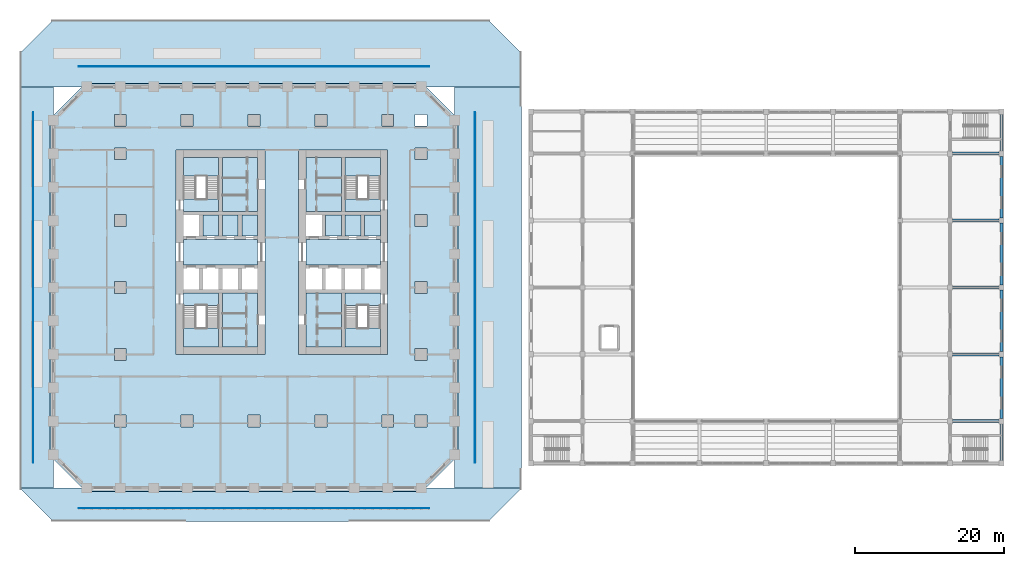
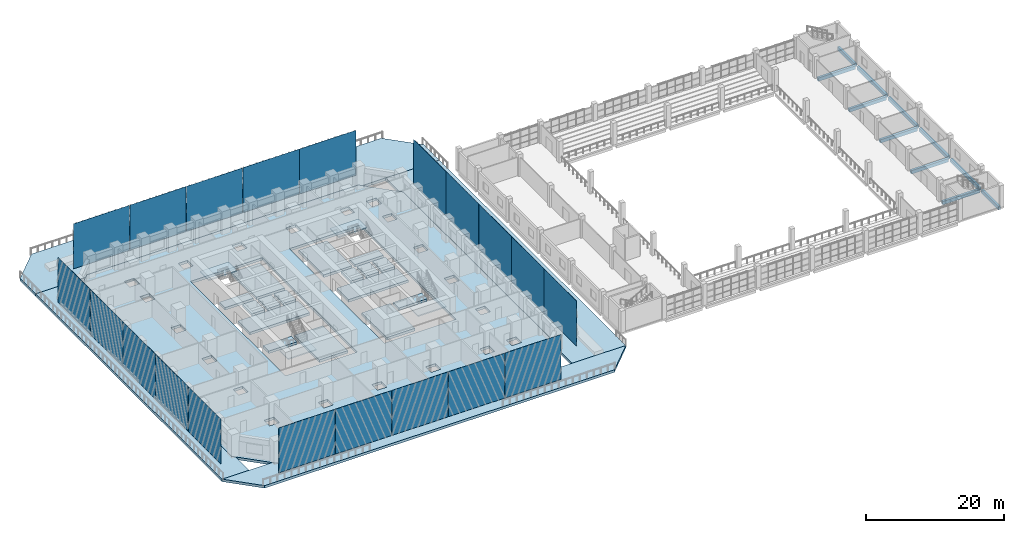
# One storey, part 12 of 36: 25 slabs, 20 plates, 11 beams, 4 elements without a shape of their own.
"""IFC4 building model written with IfcOpenShell, lengths in metres."""

from ifc_helpers import new_model, si_unit, direction, frame, origin, origin_2d, place, context, subcontext, project, spatial, polyline, rectangle, outline, extrude, material, layer, layer_set, material_profile, profile_set, type_object, element, aggregate, save


model = new_model("IFC4")

# Units and contexts
model_context = context("Model", 3, precision=1e-05, world=origin(), true_north=direction((0.0, 1.0)))
body_context = subcontext(model_context, "Body", "Model", "MODEL_VIEW")
ifc_project = project(units=[si_unit("LENGTHUNIT", "METRE"), si_unit("AREAUNIT", "SQUARE_METRE"), si_unit("VOLUMEUNIT", "CUBIC_METRE"), si_unit("PLANEANGLEUNIT", "RADIAN"), si_unit("MASSUNIT", "GRAM", prefix="KILO")], contexts=[model_context])

# Site, building, storey
site_placement = place(None, origin())
site = spatial("IfcSite", under=ifc_project, at=site_placement, CompositionType="ELEMENT")
building_placement = place(site_placement, origin())
building = spatial("IfcBuilding", under=site, at=building_placement, Name="Corbel Stack Research Tower", CompositionType="ELEMENT")
storey_placement = place(building_placement, frame((0.0, 0.0, 7.199951171875)))
storey = spatial("IfcBuildingStorey", under=building, at=storey_placement, Name="L01", CompositionType="ELEMENT", Elevation=7.199951171875)

# Beams
ifc_material_1 = material(Name="Concrete C40/50", Category="concrete")
ifc_material_profile = material_profile(ifc_material_1, rectangle(XDim=0.39990234375, YDim=0.60009765625, at=origin_2d()), Name="RC 400 x 600")
ifc_profile_set = profile_set([ifc_material_profile], Name="Concrete C40/50")
beam_type = type_object("IfcBeamType", Name="HB1 RC beam 400 x 600", PredefinedType="BEAM", material=ifc_profile_set)
for number, where, z_axis, x_axis, name in (
    (1, (94.050048828125, -18.0, -0.550048828125), (1.0, 0.0, 0.0), (0.0, 1.0, 0.0), "Floor beam L01 H8HB-H9HB"),
    (2, (94.050048828125, -9.0, -0.550048828125), (1.0, 0.0, 0.0), (0.0, 1.0, 0.0), "Floor beam L01 H8HC-H9HC"),
    (3, (94.050048828125, 0.0, -0.550048828125), (1.0, 0.0, 0.0), (0.0, 1.0, 0.0), "Floor beam L01 H8HD-H9HD"),
    (4, (94.050048828125, 9.0, -0.550048828125), (1.0, 0.0, 0.0), (0.0, 1.0, 0.0), "Floor beam L01 H8HE-H9HE"),
    (5, (94.050048828125, 18.0, -0.550048828125), (1.0, 0.0, 0.0), (0.0, 1.0, 0.0), "Floor beam L01 H8HF-H9HF"),
):
    element("IfcBeam", number, at=place(storey_placement, frame(where, z_axis=z_axis, x_axis=x_axis)), inside=storey, type_object=beam_type, Name=name, PredefinedType="BEAM", context=body_context, shape_type="SweptSolid", body=[
        extrude(rectangle(XDim=0.39990234375, YDim=0.60009765625, at=origin_2d()), origin(), (0.0, 0.0, 1.0), 6.199951171875),
    ])
beam_1_placement = place(storey_placement, frame((100.60009765625, -23.300048828125, -0.550048828125), z_axis=(0.0, 1.0, 0.0), x_axis=(-1.0, 0.0, 0.0)))
element("IfcBeam", 6, at=beam_1_placement, inside=storey, type_object=beam_type, Name="Floor beam L01 H9HA-H9HB", PredefinedType="BEAM", context=body_context, shape_type="SweptSolid", body=[
    extrude(rectangle(XDim=0.39990234375, YDim=0.60009765625, at=origin_2d()), origin(), (0.0, 0.0, 1.0), 4.949951171875),
])
for number, where, z_axis, x_axis, name in (
    (7, (100.60009765625, -17.64990234375, -0.550048828125), (0.0, 1.0, 0.0), (-1.0, 0.0, 0.0), "Floor beam L01 H9HB-H9HC"),
    (8, (100.60009765625, -8.64990234375, -0.550048828125), (0.0, 1.0, 0.0), (-1.0, 0.0, 0.0), "Floor beam L01 H9HC-H9HD"),
    (9, (100.60009765625, 0.35009765625, -0.550048828125), (0.0, 1.0, 0.0), (-1.0, 0.0, 0.0), "Floor beam L01 H9HD-H9HE"),
    (10, (100.60009765625, 9.35009765625, -0.550048828125), (0.0, 1.0, 0.0), (-1.0, 0.0, 0.0), "Floor beam L01 H9HE-H9HF"),
):
    element("IfcBeam", number, at=place(storey_placement, frame(where, z_axis=z_axis, x_axis=x_axis)), inside=storey, type_object=beam_type, Name=name, PredefinedType="BEAM", context=body_context, shape_type="SweptSolid", body=[
        extrude(rectangle(XDim=0.39990234375, YDim=0.60009765625, at=origin_2d()), origin(), (0.0, 0.0, 1.0), 8.2998046875),
    ])
beam_2_placement = place(storey_placement, frame((100.60009765625, 18.35009765625, -0.550048828125), z_axis=(0.0, 1.0, 0.0), x_axis=(-1.0, 0.0, 0.0)))
element("IfcBeam", 11, at=beam_2_placement, inside=storey, type_object=beam_type, Name="Floor beam L01 H9HF-H9HG", PredefinedType="BEAM", context=body_context, shape_type="SweptSolid", body=[
    extrude(rectangle(XDim=0.39990234375, YDim=0.60009765625, at=origin_2d()), origin(), (0.0, 0.0, 1.0), 4.949951171875),
])

# Plates
ifc_material_2 = material(Name="Fritted glass", Category="glass")
ifc_layer_1 = layer(ifc_material_2, 0.02490234375)
ifc_layer_set_1 = layer_set([ifc_layer_1], Name="Fritted glass")
plate_type = type_object("IfcPlateType", Name="Fritted glass panel 25", PredefinedType="SHEET", material=ifc_layer_set_1)
for number, where, z_axis, x_axis, name in (
    (12, (-18.911376953125, -29.737548828125, 0.0), (0.0, 0.0, 1.0), (1.0, 0.0, 0.0), "Fritted glass L01 S1"),
    (13, (-9.45556640625, -29.737548828125, 0.0), (0.0, 0.0, 1.0), (1.0, 0.0, 0.0), "Fritted glass L01 S2"),
    (14, (0.0, -29.737548828125, 0.0), (0.0, 0.0, 1.0), (1.0, 0.0, 0.0), "Fritted glass L01 S3"),
    (15, (9.45556640625, -29.737548828125, 0.0), (0.0, 0.0, 1.0), (1.0, 0.0, 0.0), "Fritted glass L01 S4"),
    (16, (18.911376953125, -29.737548828125, 0.0), (0.0, 0.0, 1.0), (1.0, 0.0, 0.0), "Fritted glass L01 S5"),
    (17, (29.737548828125, -18.911376953125, 0.0), (0.0, 0.0, 1.0), (0.0, 1.0, 0.0), "Fritted glass L01 E1"),
    (18, (29.737548828125, -9.45556640625, 0.0), (0.0, 0.0, 1.0), (0.0, 1.0, 0.0), "Fritted glass L01 E2"),
    (19, (29.737548828125, 0.0, 0.0), (0.0, 0.0, 1.0), (0.0, 1.0, 0.0), "Fritted glass L01 E3"),
    (20, (29.737548828125, 9.45556640625, 0.0), (0.0, 0.0, 1.0), (0.0, 1.0, 0.0), "Fritted glass L01 E4"),
    (21, (29.737548828125, 18.911376953125, 0.0), (0.0, 0.0, 1.0), (0.0, 1.0, 0.0), "Fritted glass L01 E5"),
    (22, (18.911376953125, 29.737548828125, 0.0), (0.0, 0.0, 1.0), (-1.0, 0.0, 0.0), "Fritted glass L01 N1"),
    (23, (9.45556640625, 29.737548828125, 0.0), (0.0, 0.0, 1.0), (-1.0, 0.0, 0.0), "Fritted glass L01 N2"),
    (24, (0.0, 29.737548828125, 0.0), (0.0, 0.0, 1.0), (-1.0, 0.0, 0.0), "Fritted glass L01 N3"),
    (25, (-9.45556640625, 29.737548828125, 0.0), (0.0, 0.0, 1.0), (-1.0, 0.0, 0.0), "Fritted glass L01 N4"),
    (26, (-18.911376953125, 29.737548828125, 0.0), (0.0, 0.0, 1.0), (-1.0, 0.0, 0.0), "Fritted glass L01 N5"),
    (27, (-29.737548828125, 18.911376953125, 0.0), (0.0, 0.0, 1.0), (0.0, -1.0, 0.0), "Fritted glass L01 W1"),
    (28, (-29.737548828125, 9.45556640625, 0.0), (0.0, 0.0, 1.0), (0.0, -1.0, 0.0), "Fritted glass L01 W2"),
    (29, (-29.737548828125, 0.0, 0.0), (0.0, 0.0, 1.0), (0.0, -1.0, 0.0), "Fritted glass L01 W3"),
    (30, (-29.737548828125, -9.45556640625, 0.0), (0.0, 0.0, 1.0), (0.0, -1.0, 0.0), "Fritted glass L01 W4"),
    (31, (-29.737548828125, -18.911376953125, 0.0), (0.0, 0.0, 1.0), (0.0, -1.0, 0.0), "Fritted glass L01 W5"),
):
    element("IfcPlate", number, at=place(storey_placement, frame(where, z_axis=z_axis, x_axis=x_axis)), inside=storey, type_object=plate_type, Name=name, PredefinedType="SHEET", context=body_context, shape_type="SweptSolid", body=[
        extrude(rectangle(XDim=9.3955078125, YDim=0.02490234375, at=origin_2d()), origin(), (0.0, 0.0, 1.0), 7.949951171875),
    ])

# Slabs
ifc_material_3 = material(Name="Concrete C45/55", Category="concrete")
ifc_layer_2 = layer(ifc_material_3, 0.449951171875)
ifc_layer_set_2 = layer_set([ifc_layer_2], Name="Concrete C45/55")
slab_type_1 = type_object("IfcSlabType", Name="PT-450", PredefinedType="FLOOR", material=ifc_layer_set_2)
slab_1_placement = place(storey_placement, frame((0.0, 0.0, -0.449951171875)))
element("IfcSlab", 32, at=slab_1_placement, inside=storey, type_object=slab_type_1, Name="Floor slab L01", PredefinedType="FLOOR", context=body_context, shape_type="SweptSolid", body=[
    extrude(outline(polyline([(-22.686279296875, -27.449951171875), (22.686279296875, -27.449951171875), (27.449951171875, -22.686279296875), (27.449951171875, 22.686279296875), (22.686279296875, 27.449951171875), (-22.686279296875, 27.449951171875), (-27.449951171875, 22.686279296875), (-27.449951171875, -22.686279296875), (-22.686279296875, -27.449951171875)]), holes=[polyline([(21.699951171875, 21.699951171875), (21.699951171875, 23.300048828125), (23.300048828125, 23.300048828125), (23.300048828125, 21.699951171875), (21.699951171875, 21.699951171875)]), polyline([(21.699951171875, 17.199951171875), (21.699951171875, 18.800048828125), (23.300048828125, 18.800048828125), (23.300048828125, 17.199951171875), (21.699951171875, 17.199951171875)]), polyline([(21.699951171875, 8.199951171875), (21.699951171875, 9.800048828125), (23.300048828125, 9.800048828125), (23.300048828125, 8.199951171875), (21.699951171875, 8.199951171875)]), polyline([(21.699951171875, -0.800048828125), (21.699951171875, 0.800048828125), (23.300048828125, 0.800048828125), (23.300048828125, -0.800048828125), (21.699951171875, -0.800048828125)]), polyline([(21.699951171875, -9.800048828125), (21.699951171875, -8.199951171875), (23.300048828125, -8.199951171875), (23.300048828125, -9.800048828125), (21.699951171875, -9.800048828125)]), polyline([(23.300048828125, -18.800048828125), (21.699951171875, -18.800048828125), (21.699951171875, -17.199951171875), (23.300048828125, -17.199951171875), (23.300048828125, -18.800048828125)]), polyline([(17.199951171875, 21.699951171875), (17.199951171875, 23.300048828125), (18.800048828125, 23.300048828125), (18.800048828125, 21.699951171875), (17.199951171875, 21.699951171875)]), polyline([(18.800048828125, -18.800048828125), (17.199951171875, -18.800048828125), (17.199951171875, -17.199951171875), (18.800048828125, -17.199951171875), (18.800048828125, -18.800048828125)]), polyline([(18.0, -9.0), (6.0, -9.0), (6.0, 18.5), (18.0, 18.5), (18.0, -9.0)]), polyline([(9.800048828125, 21.699951171875), (8.199951171875, 21.699951171875), (8.199951171875, 23.300048828125), (9.800048828125, 23.300048828125), (9.800048828125, 21.699951171875)]), polyline([(9.800048828125, -18.800048828125), (8.199951171875, -18.800048828125), (8.199951171875, -17.199951171875), (9.800048828125, -17.199951171875), (9.800048828125, -18.800048828125)]), polyline([(1.5, -9.0), (-10.5, -9.0), (-10.5, 18.5), (1.5, 18.5), (1.5, -9.0)]), polyline([(-0.800048828125, 21.699951171875), (-0.800048828125, 23.300048828125), (0.800048828125, 23.300048828125), (0.800048828125, 21.699951171875), (-0.800048828125, 21.699951171875)]), polyline([(0.800048828125, -18.800048828125), (-0.800048828125, -18.800048828125), (-0.800048828125, -17.199951171875), (0.800048828125, -17.199951171875), (0.800048828125, -18.800048828125)]), polyline([(-9.800048828125, 21.699951171875), (-9.800048828125, 23.300048828125), (-8.199951171875, 23.300048828125), (-8.199951171875, 21.699951171875), (-9.800048828125, 21.699951171875)]), polyline([(-8.199951171875, -18.800048828125), (-9.800048828125, -18.800048828125), (-9.800048828125, -17.199951171875), (-8.199951171875, -17.199951171875), (-8.199951171875, -18.800048828125)]), polyline([(-17.199951171875, 21.699951171875), (-18.800048828125, 21.699951171875), (-18.800048828125, 23.300048828125), (-17.199951171875, 23.300048828125), (-17.199951171875, 21.699951171875)]), polyline([(-18.800048828125, 17.199951171875), (-18.800048828125, 18.800048828125), (-17.199951171875, 18.800048828125), (-17.199951171875, 17.199951171875), (-18.800048828125, 17.199951171875)]), polyline([(-18.800048828125, 8.199951171875), (-18.800048828125, 9.800048828125), (-17.199951171875, 9.800048828125), (-17.199951171875, 8.199951171875), (-18.800048828125, 8.199951171875)]), polyline([(-18.800048828125, -0.800048828125), (-18.800048828125, 0.800048828125), (-17.199951171875, 0.800048828125), (-17.199951171875, -0.800048828125), (-18.800048828125, -0.800048828125)]), polyline([(-18.800048828125, -9.800048828125), (-18.800048828125, -8.199951171875), (-17.199951171875, -8.199951171875), (-17.199951171875, -9.800048828125), (-18.800048828125, -9.800048828125)]), polyline([(-17.199951171875, -18.800048828125), (-18.800048828125, -18.800048828125), (-18.800048828125, -17.199951171875), (-17.199951171875, -17.199951171875), (-17.199951171875, -18.800048828125)])]), origin(), (0.0, 0.0, 1.0), 0.449951171875),
])
slab_2_placement = place(storey_placement, frame((0.0, 0.0, -0.449951171875)))
element("IfcSlab", 33, at=slab_2_placement, inside=storey, type_object=slab_type_1, Name="West core floor L01", PredefinedType="FLOOR", context=body_context, shape_type="SweptSolid", body=[
    extrude(outline(polyline([(-9.5, 6.449951171875), (-9.5, 3.050048828125), (0.5, 3.050048828125), (0.5, 6.449951171875), (-9.5, 6.449951171875)])), origin(), (0.0, 0.0, 1.0), 0.449951171875),
])
slab_3_placement = place(storey_placement, frame((0.0, 0.0, -0.449951171875)))
element("IfcSlab", 34, at=slab_3_placement, inside=storey, type_object=slab_type_1, Name="West core floor L01", PredefinedType="FLOOR", context=body_context, shape_type="SweptSolid", body=[
    extrude(outline(polyline([(-6.875, 6.949951171875), (-4.75, 6.949951171875), (-4.75, 9.75), (-6.875, 9.75), (-6.875, 6.949951171875)])), origin(), (0.0, 0.0, 1.0), 0.449951171875),
])
slab_4_placement = place(storey_placement, frame((0.0, 0.0, -0.449951171875)))
element("IfcSlab", 35, at=slab_4_placement, inside=storey, type_object=slab_type_1, Name="West core floor L01", PredefinedType="FLOOR", context=body_context, shape_type="SweptSolid", body=[
    extrude(outline(polyline([(-4.25, -0.75), (-4.25, -8.0), (0.5, -8.0), (0.5, -0.75), (-4.25, -0.75)])), origin(), (0.0, 0.0, 1.0), 0.449951171875),
])
slab_5_placement = place(storey_placement, frame((0.0, 0.0, -0.449951171875)))
element("IfcSlab", 36, at=slab_5_placement, inside=storey, type_object=slab_type_1, Name="West core floor L01", PredefinedType="FLOOR", context=body_context, shape_type="SweptSolid", body=[
    extrude(outline(polyline([(-2.125, 6.949951171875), (-2.125, 9.75), (-4.25, 9.75), (-4.25, 6.949951171875), (-2.125, 6.949951171875)])), origin(), (0.0, 0.0, 1.0), 0.449951171875),
])
slab_6_placement = place(storey_placement, frame((0.0, 0.0, -0.449951171875)))
element("IfcSlab", 37, at=slab_6_placement, inside=storey, type_object=slab_type_1, Name="West core floor L01", PredefinedType="FLOOR", context=body_context, shape_type="SweptSolid", body=[
    extrude(outline(polyline([(-4.25, 17.5), (-4.25, 10.25), (0.5, 10.25), (0.5, 17.5), (-4.25, 17.5)])), origin(), (0.0, 0.0, 1.0), 0.449951171875),
])
slab_7_placement = place(storey_placement, frame((0.0, 0.0, -0.449951171875)))
element("IfcSlab", 38, at=slab_7_placement, inside=storey, type_object=slab_type_1, Name="West core floor L01", PredefinedType="FLOOR", context=body_context, shape_type="SweptSolid", body=[
    extrude(outline(polyline([(0.5, 6.949951171875), (0.5, 9.75), (-1.625, 9.75), (-1.625, 6.949951171875), (0.5, 6.949951171875)])), origin(), (0.0, 0.0, 1.0), 0.449951171875),
])
slab_8_placement = place(storey_placement, frame((0.0, 0.0, -0.449951171875)))
element("IfcSlab", 39, at=slab_8_placement, inside=storey, type_object=slab_type_1, Name="East core floor L01", PredefinedType="FLOOR", context=body_context, shape_type="SweptSolid", body=[
    extrude(outline(polyline([(7.0, -0.75), (7.0, -8.0), (11.75, -8.0), (11.75, -0.75), (7.0, -0.75)])), origin(), (0.0, 0.0, 1.0), 0.449951171875),
])
slab_9_placement = place(storey_placement, frame((0.0, 0.0, -0.449951171875)))
element("IfcSlab", 40, at=slab_9_placement, inside=storey, type_object=slab_type_1, Name="East core floor L01", PredefinedType="FLOOR", context=body_context, shape_type="SweptSolid", body=[
    extrude(outline(polyline([(7.0, 6.449951171875), (7.0, 3.050048828125), (17.0, 3.050048828125), (17.0, 6.449951171875), (7.0, 6.449951171875)])), origin(), (0.0, 0.0, 1.0), 0.449951171875),
])
slab_10_placement = place(storey_placement, frame((0.0, 0.0, -0.449951171875)))
element("IfcSlab", 41, at=slab_10_placement, inside=storey, type_object=slab_type_1, Name="East core floor L01", PredefinedType="FLOOR", context=body_context, shape_type="SweptSolid", body=[
    extrude(outline(polyline([(7.0, 17.5), (7.0, 10.25), (11.75, 10.25), (11.75, 17.5), (7.0, 17.5)])), origin(), (0.0, 0.0, 1.0), 0.449951171875),
])
slab_11_placement = place(storey_placement, frame((0.0, 0.0, -0.449951171875)))
element("IfcSlab", 42, at=slab_11_placement, inside=storey, type_object=slab_type_1, Name="East core floor L01", PredefinedType="FLOOR", context=body_context, shape_type="SweptSolid", body=[
    extrude(outline(polyline([(9.625, 6.949951171875), (11.75, 6.949951171875), (11.75, 9.75), (9.625, 9.75), (9.625, 6.949951171875)])), origin(), (0.0, 0.0, 1.0), 0.449951171875),
])
slab_12_placement = place(storey_placement, frame((0.0, 0.0, -0.449951171875)))
element("IfcSlab", 43, at=slab_12_placement, inside=storey, type_object=slab_type_1, Name="East core floor L01", PredefinedType="FLOOR", context=body_context, shape_type="SweptSolid", body=[
    extrude(outline(polyline([(14.375, 6.949951171875), (14.375, 9.75), (12.25, 9.75), (12.25, 6.949951171875), (14.375, 6.949951171875)])), origin(), (0.0, 0.0, 1.0), 0.449951171875),
])
slab_13_placement = place(storey_placement, frame((0.0, 0.0, -0.449951171875)))
element("IfcSlab", 44, at=slab_13_placement, inside=storey, type_object=slab_type_1, Name="East core floor L01", PredefinedType="FLOOR", context=body_context, shape_type="SweptSolid", body=[
    extrude(outline(polyline([(17.0, 6.949951171875), (17.0, 9.75), (14.875, 9.75), (14.875, 6.949951171875), (17.0, 6.949951171875)])), origin(), (0.0, 0.0, 1.0), 0.449951171875),
])
slab_14_placement = place(storey_placement, frame((0.0, 0.0, -0.449951171875)))
element("IfcSlab", 45, at=slab_14_placement, inside=storey, type_object=slab_type_1, Name="Stair floor landing ST-W1", PredefinedType="FLOOR", context=body_context, shape_type="SweptSolid", body=[
    extrude(outline(polyline([(-9.5, -2.39990234375), (-4.75, -2.39990234375), (-4.75, -0.75), (-9.5, -0.75), (-9.5, -2.39990234375)])), origin(), (0.0, 0.0, 1.0), 0.449951171875),
])
slab_15_placement = place(storey_placement, frame((0.0, 0.0, -0.449951171875)))
element("IfcSlab", 46, at=slab_15_placement, inside=storey, type_object=slab_type_1, Name="Stair floor landing ST-W2", PredefinedType="FLOOR", context=body_context, shape_type="SweptSolid", body=[
    extrude(outline(polyline([(-9.5, 10.25), (-4.75, 10.25), (-4.75, 11.89990234375), (-9.5, 11.89990234375), (-9.5, 10.25)])), origin(), (0.0, 0.0, 1.0), 0.449951171875),
])
slab_16_placement = place(storey_placement, frame((0.0, 0.0, -0.449951171875)))
element("IfcSlab", 47, at=slab_16_placement, inside=storey, type_object=slab_type_1, Name="Stair floor landing ST-E1", PredefinedType="FLOOR", context=body_context, shape_type="SweptSolid", body=[
    extrude(outline(polyline([(12.25, -2.39990234375), (17.0, -2.39990234375), (17.0, -0.75), (12.25, -0.75), (12.25, -2.39990234375)])), origin(), (0.0, 0.0, 1.0), 0.449951171875),
])
slab_17_placement = place(storey_placement, frame((0.0, 0.0, -0.449951171875)))
element("IfcSlab", 48, at=slab_17_placement, inside=storey, type_object=slab_type_1, Name="Stair floor landing ST-E2", PredefinedType="FLOOR", context=body_context, shape_type="SweptSolid", body=[
    extrude(outline(polyline([(12.25, 10.25), (17.0, 10.25), (17.0, 11.89990234375), (12.25, 11.89990234375), (12.25, 10.25)])), origin(), (0.0, 0.0, 1.0), 0.449951171875),
])

# Stair, slab
ifc_material_4 = material(Name="Concrete C40/50", Category="concrete")
stair_type = type_object("IfcStairType", Name="Exit stair 24 risers", PredefinedType="HALF_TURN_STAIR", material=ifc_material_4)
stair_1_placement = place(storey_placement, origin())
stair_1 = element("IfcStair", 49, at=stair_1_placement, inside=storey, type_object=stair_type, Name="L01 Exit stair ST-W1", PredefinedType="HALF_TURN_STAIR")
ifc_material_5 = material(Name="Concrete C40/50", Category="concrete")
ifc_layer_3 = layer(ifc_material_5, 0.199951171875)
ifc_layer_set_3 = layer_set([ifc_layer_3], Name="Concrete C40/50")
slab_type_2 = type_object("IfcSlabType", Name="Stair landing 200 C40/50", PredefinedType="LANDING", material=ifc_layer_set_3)
slab_18_placement = place(storey_placement, frame((0.0, 0.0, 1.85009765625)))
slab_18 = element("IfcSlab", 50, at=slab_18_placement, type_object=slab_type_2, Name="ST-W1 landing 1", PredefinedType="LANDING", context=body_context, shape_type="SweptSolid", body=[
    extrude(outline(polyline([(-9.5, -8.0), (-9.5, -5.47998046875), (-4.75, -5.47998046875), (-4.75, -8.0), (-9.5, -8.0)])), origin(), (0.0, 0.0, 1.0), 0.199951171875),
])
aggregate(stair_1, [slab_18])

stair_2_placement = place(storey_placement, origin())
stair_2 = element("IfcStair", 51, at=stair_2_placement, inside=storey, type_object=stair_type, Name="L01 Exit stair ST-W2", PredefinedType="HALF_TURN_STAIR")
slab_19_placement = place(storey_placement, frame((0.0, 0.0, 1.85009765625)))
slab_19 = element("IfcSlab", 52, at=slab_19_placement, type_object=slab_type_2, Name="ST-W2 landing 1", PredefinedType="LANDING", context=body_context, shape_type="SweptSolid", body=[
    extrude(outline(polyline([(-9.5, 14.97998046875), (-9.5, 17.5), (-4.75, 17.5), (-4.75, 14.97998046875), (-9.5, 14.97998046875)])), origin(), (0.0, 0.0, 1.0), 0.199951171875),
])
aggregate(stair_2, [slab_19])

stair_3_placement = place(storey_placement, origin())
stair_3 = element("IfcStair", 53, at=stair_3_placement, inside=storey, type_object=stair_type, Name="L01 Exit stair ST-E1", PredefinedType="HALF_TURN_STAIR")
slab_20_placement = place(storey_placement, frame((0.0, 0.0, 1.85009765625)))
slab_20 = element("IfcSlab", 54, at=slab_20_placement, type_object=slab_type_2, Name="ST-E1 landing 1", PredefinedType="LANDING", context=body_context, shape_type="SweptSolid", body=[
    extrude(outline(polyline([(12.25, -8.0), (12.25, -5.47998046875), (17.0, -5.47998046875), (17.0, -8.0), (12.25, -8.0)])), origin(), (0.0, 0.0, 1.0), 0.199951171875),
])
aggregate(stair_3, [slab_20])

stair_4_placement = place(storey_placement, origin())
stair_4 = element("IfcStair", 55, at=stair_4_placement, inside=storey, type_object=stair_type, Name="L01 Exit stair ST-E2", PredefinedType="HALF_TURN_STAIR")
slab_21_placement = place(storey_placement, frame((0.0, 0.0, 1.85009765625)))
slab_21 = element("IfcSlab", 56, at=slab_21_placement, type_object=slab_type_2, Name="ST-E2 landing 1", PredefinedType="LANDING", context=body_context, shape_type="SweptSolid", body=[
    extrude(outline(polyline([(12.25, 14.97998046875), (12.25, 17.5), (17.0, 17.5), (17.0, 14.97998046875), (12.25, 14.97998046875)])), origin(), (0.0, 0.0, 1.0), 0.199951171875),
])
aggregate(stair_4, [slab_21])

# Slabs
ifc_material_6 = material(Name="Concrete C45/55", Category="concrete")
ifc_layer_4 = layer(ifc_material_6, 0.449951171875)
ifc_layer_set_4 = layer_set([ifc_layer_4], Name="Concrete C45/55")
slab_type_3 = type_object("IfcSlabType", Name="TS-450", PredefinedType="ROOF", material=ifc_layer_set_4)
slab_22_placement = place(storey_placement, frame((0.0, 0.0, -0.449951171875)))
element("IfcSlab", 57, at=slab_22_placement, inside=storey, type_object=slab_type_3, Name="Terrace slab L01", PredefinedType="ROOF", context=body_context, shape_type="SweptSolid", body=[
    extrude(outline(polyline([(23.136474609375, -27.0), (22.686279296875, -27.449951171875), (-22.686279296875, -27.449951171875), (-23.136474609375, -27.0), (-31.5, -27.0), (-27.0, -31.5), (31.5, -31.5), (36.0, -27.0), (23.136474609375, -27.0)])), origin(), (0.0, 0.0, 1.0), 0.449951171875),
])
slab_23_placement = place(storey_placement, frame((0.0, 0.0, -0.449951171875)))
element("IfcSlab", 58, at=slab_23_placement, inside=storey, type_object=slab_type_3, Name="Terrace slab L01", PredefinedType="ROOF", context=body_context, shape_type="SweptSolid", body=[
    extrude(outline(polyline([(-27.0, -23.136474609375), (-27.449951171875, -22.686279296875), (-27.449951171875, 22.686279296875), (-27.0, 23.136474609375), (-27.0, 27.0), (-31.5, 27.0), (-31.5, -27.0), (-27.0, -27.0), (-27.0, -23.136474609375)])), origin(), (0.0, 0.0, 1.0), 0.449951171875),
])
slab_24_placement = place(storey_placement, frame((0.0, 0.0, -0.449951171875)))
element("IfcSlab", 59, at=slab_24_placement, inside=storey, type_object=slab_type_3, Name="Terrace slab L01", PredefinedType="ROOF", context=body_context, shape_type="SweptSolid", body=[
    extrude(outline(polyline([(-23.136474609375, 27.0), (-22.686279296875, 27.449951171875), (22.686279296875, 27.449951171875), (23.136474609375, 27.0), (36.0, 27.0), (36.0, 31.5), (31.5, 36.0), (-27.0, 36.0), (-31.5, 31.5), (-31.5, 27.0), (-23.136474609375, 27.0)])), origin(), (0.0, 0.0, 1.0), 0.449951171875),
])
slab_25_placement = place(storey_placement, frame((0.0, 0.0, -0.449951171875)))
element("IfcSlab", 60, at=slab_25_placement, inside=storey, type_object=slab_type_3, Name="Terrace slab L01", PredefinedType="ROOF", context=body_context, shape_type="SweptSolid", body=[
    extrude(outline(polyline([(27.0, 23.136474609375), (27.449951171875, 22.686279296875), (27.449951171875, -22.686279296875), (27.0, -23.136474609375), (27.0, -27.0), (36.0, -27.0), (36.0, 27.0), (27.0, 27.0), (27.0, 23.136474609375)])), origin(), (0.0, 0.0, 1.0), 0.449951171875),
])

save(model, "model.ifc")
